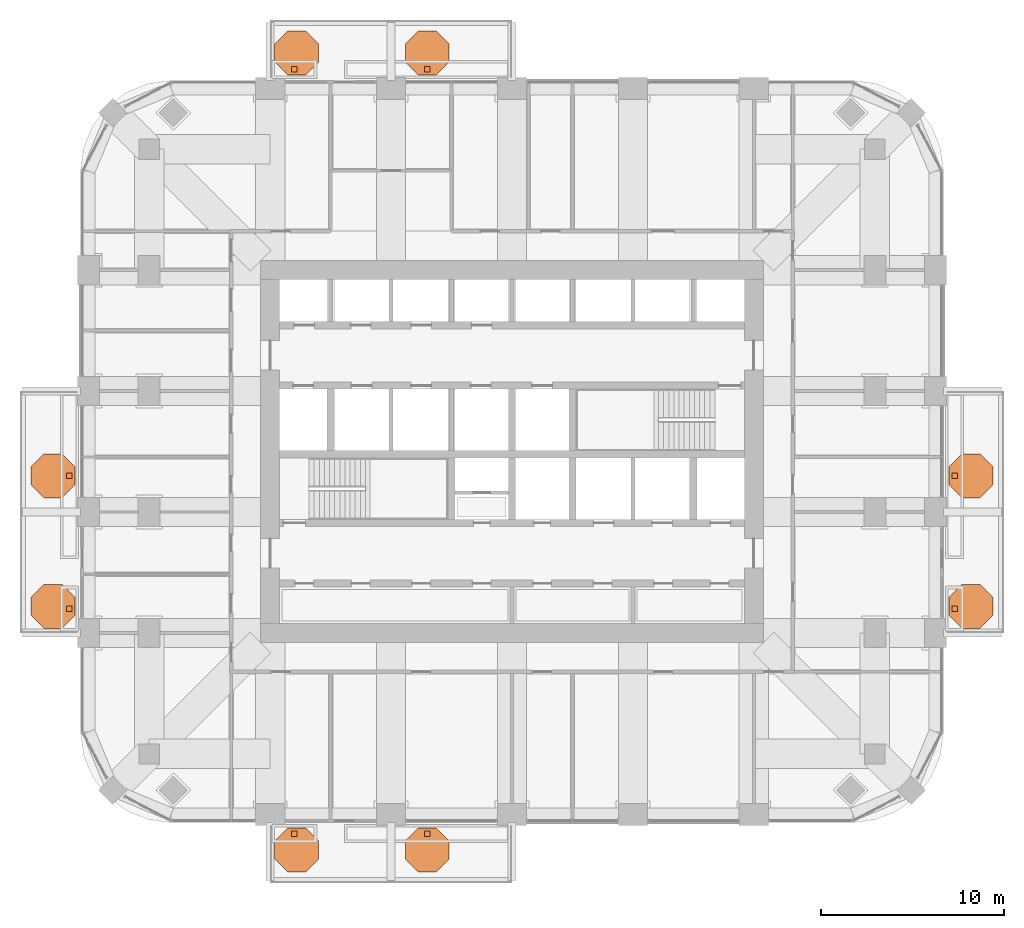
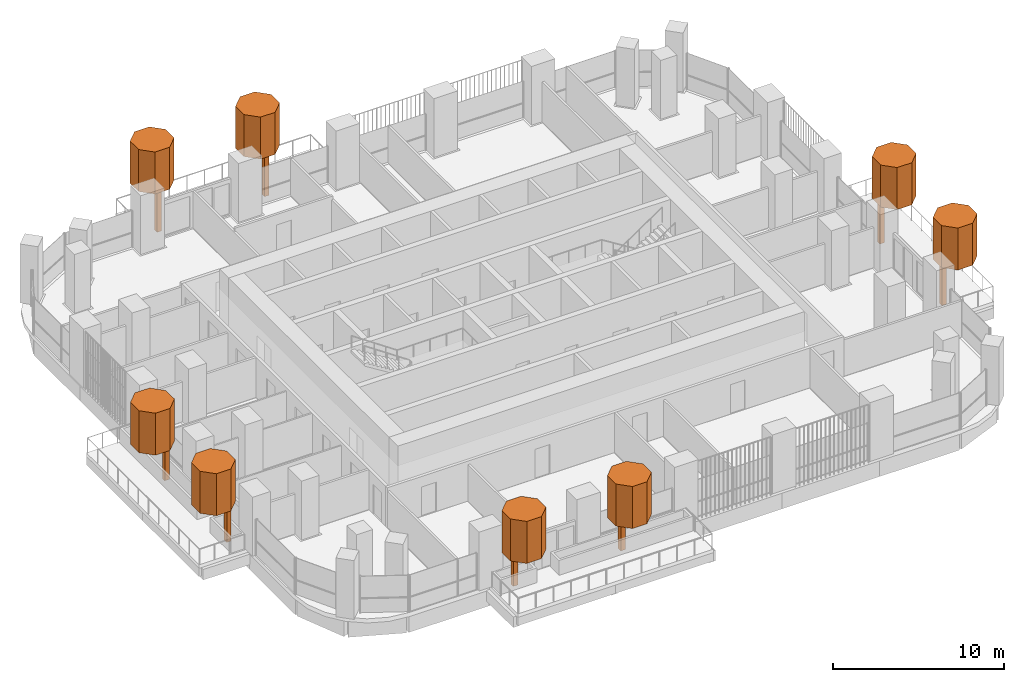
# One storey, part 20 of 20: 16 geographic elements.
"""IFC4 building model written with IfcOpenShell, lengths in metres."""

import ifcopenshell
import ifcopenshell.guid

model = None  # the IFC model being written
_history = None  # IfcOwnerHistory: only IFC2X3 demands one
_inside = {}  # id of a spatial element -> (the spatial element, [elements in it])
_under = {}  # id of a project, library or spatial element -> (it, [spatial elements below it])
_declared = {}  # id of a project -> (the project, [libraries it declares])
_typed = {}  # id of a type object -> (the type object, [elements of that type])
_made_of = {}  # id of a material, layer set ... -> (it, [elements and type objects made of it])


def new_model(schema):
    """Start an empty IFC model of exactly this schema.

    Asked for "IFC4X3", IfcOpenShell would pick the latest addendum, in which some entities
    have other attributes; the version numbers below select the first issue.
    IFC2X3 requires an IfcOwnerHistory on every rooted entity: one is made here for all.
    """
    global model, _history
    if schema == "IFC4X3":
        model = ifcopenshell.file(schema_version=(4, 3, 0, 0))
    else:
        model = ifcopenshell.file(schema=schema)
    _inside.clear()
    _under.clear()
    _declared.clear()
    _typed.clear()
    _made_of.clear()
    _history = None
    if model.schema == "IFC2X3":
        org = make("IfcOrganization", Name="unknown")
        user = make(
            "IfcPersonAndOrganization",
            ThePerson=make("IfcPerson", FamilyName="unknown"),
            TheOrganization=org,
        )
        app = make(
            "IfcApplication",
            ApplicationDeveloper=org,
            Version="unknown",
            ApplicationFullName="unknown",
            ApplicationIdentifier="unknown",
        )
        _history = make(
            "IfcOwnerHistory",
            OwningUser=user,
            OwningApplication=app,
            ChangeAction="ADDED",
            CreationDate=0,
        )
    return model


def make(cls, **values):
    """One entity of the class cls with the attributes given. An attribute that is None is left unset."""
    return model.create_entity(
        cls, **{name: value for name, value in values.items() if value is not None}
    )


def rooted(cls, **values):
    """An entity with a GlobalId (a new one), such as an element, a storey or a relation."""
    return make(cls, GlobalId=ifcopenshell.guid.new(), OwnerHistory=_history, **values)


def si_unit(unit_type, name, prefix=None):
    """IfcSIUnit, for example si_unit("LENGTHUNIT", "METRE", prefix="MILLI")."""
    return make("IfcSIUnit", UnitType=unit_type, Prefix=prefix, Name=name)


def assignment(units):
    """IfcUnitAssignment: the units of a project."""
    return None if units is None else make("IfcUnitAssignment", Units=units)


def point(xyz):
    """IfcCartesianPoint."""
    return None if xyz is None else make("IfcCartesianPoint", Coordinates=xyz)


def direction(xyz):
    """IfcDirection."""
    return None if xyz is None else make("IfcDirection", DirectionRatios=xyz)


def frame(location, z_axis=None, x_axis=None):
    """IfcAxis2Placement3D, a coordinate frame: its origin and axes. An axis left out is left unset."""
    return make(
        "IfcAxis2Placement3D",
        Location=point(location),
        Axis=direction(z_axis),
        RefDirection=direction(x_axis),
    )


def frame_2d(location, x_axis=None):
    """IfcAxis2Placement2D, a coordinate frame in the plane: its origin and x axis."""
    return make(
        "IfcAxis2Placement2D", Location=point(location), RefDirection=direction(x_axis)
    )


def origin():
    """The frame at (0, 0, 0) with its axes left unset."""
    return frame((0.0, 0.0, 0.0))


def origin_2d():
    """The frame at (0, 0) in the plane with its x axis left unset."""
    return frame_2d((0.0, 0.0))


def place(relative_to, where):
    """IfcLocalPlacement: puts the frame where relative to a parent placement (None: the world)."""
    return make(
        "IfcLocalPlacement", PlacementRelTo=relative_to, RelativePlacement=where
    )


def context(
    kind, dimensions, precision=None, world=None, true_north=None, identifier=None
):
    """IfcGeometricRepresentationContext, for example the 3D "Model" context."""
    return make(
        "IfcGeometricRepresentationContext",
        ContextIdentifier=identifier,
        ContextType=kind,
        CoordinateSpaceDimension=dimensions,
        Precision=precision,
        WorldCoordinateSystem=world,
        TrueNorth=true_north,
    )


def subcontext(parent, identifier, kind, view, scale=None):
    """IfcGeometricRepresentationSubContext, for example "Body" below "Model"."""
    return make(
        "IfcGeometricRepresentationSubContext",
        ContextIdentifier=identifier,
        ContextType=kind,
        ParentContext=parent,
        TargetScale=scale,
        TargetView=view,
    )


def project(units=None, contexts=None):
    """IfcProject with its units and contexts."""
    return rooted(
        "IfcProject",
        Name="project",
        RepresentationContexts=contexts,
        UnitsInContext=assignment(units),
    )


def spatial(cls, under=None, at=None, **own):
    """A site, building, storey or space (cls), placed at a placement, below another one or the project."""
    s = rooted(cls, ObjectPlacement=at, **own)
    if under is not None:
        _under.setdefault(under.id(), (under, []))[1].append(s)
    return s


def polyline(points):
    """IfcPolyline through the points."""
    return make("IfcPolyline", Points=[point(p) for p in points])


def profile(cls, at=None, kind="AREA", **sizes):
    """A parametric profile (cls). Its sizes go by their IFC names, for example OverallWidth=200.0."""
    return make(cls, ProfileType=kind, Position=at, **sizes)


def rectangle(**sizes):
    """IfcRectangleProfileDef."""
    return profile("IfcRectangleProfileDef", **sizes)


def outline(outer, holes=None, kind="AREA"):
    """IfcArbitraryClosedProfileDef: a profile drawn as a closed curve; with holes, ...WithVoids."""
    if holes is None:
        return make("IfcArbitraryClosedProfileDef", ProfileType=kind, OuterCurve=outer)
    return make(
        "IfcArbitraryProfileDefWithVoids",
        ProfileType=kind,
        OuterCurve=outer,
        InnerCurves=holes,
    )


def extrude(swept, where, along, depth):
    """IfcExtrudedAreaSolid: the profile swept, set in the frame where, extruded along a direction by depth."""
    return make(
        "IfcExtrudedAreaSolid",
        SweptArea=swept,
        Position=where,
        ExtrudedDirection=direction(along),
        Depth=depth,
    )


def shape(context_of_items, identifier, shape_type, items):
    """IfcShapeRepresentation: the items that make up one representation, for example the "Body"."""
    return make(
        "IfcShapeRepresentation",
        ContextOfItems=context_of_items,
        RepresentationIdentifier=identifier,
        RepresentationType=shape_type,
        Items=items,
    )


def material(Name=None, Category=None):
    """IfcMaterial."""
    return make("IfcMaterial", Name=Name, Category=Category)


def made_of(thing, what):
    """Note that an element or type object is made of a material, layer set ...; save() writes the relation."""
    if what is not None:
        _made_of.setdefault(what.id(), (what, []))[1].append(thing)
    return thing


def type_object(cls, material=None, **own):
    """A type object (cls), such as IfcWallType, which elements share."""
    return made_of(rooted(cls, **own), material)


def element(
    cls,
    number,
    at=None,
    inside=None,
    cuts=None,
    type_object=None,
    material=None,
    context=None,
    identifier="Body",
    shape_type=None,
    held_by="IfcProductDefinitionShape",
    body=None,
    shapes=None,
    **own,
):
    """One element of the class cls, such as IfcWall. Its Tag is "e" and its number.

    at: its placement. inside: the storey or other place that contains it. cuts: it is an
    opening in that element (IfcRelVoidsElement). A single representation is given by context,
    identifier, shape_type and body (its items); several are given by shapes. held_by: the class
    of the entity that holds the representations. save() writes the other relations.
    """
    e = rooted(cls, Tag="e%d" % number, ObjectPlacement=at, **own)
    if body is not None:
        shapes = [shape(context, identifier, shape_type, body)]
    if shapes is not None:
        e.Representation = make(held_by, Representations=shapes)
    if inside is not None:
        _inside.setdefault(inside.id(), (inside, []))[1].append(e)
    if cuts is not None:
        rooted(
            "IfcRelVoidsElement", RelatingBuildingElement=cuts, RelatedOpeningElement=e
        )
    if type_object is not None:
        _typed.setdefault(type_object.id(), (type_object, []))[1].append(e)
    return made_of(e, material)


def aggregate(whole, parts):
    """IfcRelAggregates: a whole, such as a stair, and the parts it consists of."""
    return rooted("IfcRelAggregates", RelatingObject=whole, RelatedObjects=parts)


def save(model, path):
    """Write the relations noted so far, then the file.

    IfcRelAggregates (storeys below a building ...), IfcRelContainedInSpatialStructure (elements
    in a storey), IfcRelDefinesByType, IfcRelAssociatesMaterial and IfcRelDeclares: one each for
    every whole, place, type object, material and project.
    """
    for whole, parts in _under.values():
        aggregate(whole, parts)
    for where, things in _inside.values():
        rooted(
            "IfcRelContainedInSpatialStructure",
            RelatedElements=things,
            RelatingStructure=where,
        )
    for kind, things in _typed.values():
        rooted("IfcRelDefinesByType", RelatedObjects=things, RelatingType=kind)
    for what, things in _made_of.values():
        rooted("IfcRelAssociatesMaterial", RelatedObjects=things, RelatingMaterial=what)
    for by, libraries in _declared.values():
        rooted("IfcRelDeclares", RelatingContext=by, RelatedDefinitions=libraries)
    model.write(path)


model = new_model("IFC4")

# Units and contexts
model_context = context("Model", 3, precision=1e-05, world=origin(), true_north=direction((0.0, 1.0)))
body_context = subcontext(model_context, "Body", "Model", "MODEL_VIEW")
ifc_project = project(units=[si_unit("LENGTHUNIT", "METRE"), si_unit("AREAUNIT", "SQUARE_METRE"), si_unit("VOLUMEUNIT", "CUBIC_METRE"), si_unit("PLANEANGLEUNIT", "RADIAN"), si_unit("MASSUNIT", "GRAM", prefix="KILO")], contexts=[model_context])

# Site, building, storey
site_placement = place(None, origin())
site = spatial("IfcSite", under=ifc_project, at=site_placement, CompositionType="ELEMENT")
building_placement = place(site_placement, origin())
building = spatial("IfcBuilding", under=site, at=building_placement, Name="Cobogo Forest Laboratory Tower", CompositionType="ELEMENT")
storey_placement = place(building_placement, frame((0.0, 0.0, 210.300048828125)))
storey = spatial("IfcBuildingStorey", under=building, at=storey_placement, Name="L48", CompositionType="ELEMENT", Elevation=210.300048828125)

# Geographic elements
ifc_material = material(Name="Planting", Category="plant")
geographic_element_type_1 = type_object("IfcGeographicElementType", Name="Tree trunk 300", PredefinedType="USERDEFINED", material=ifc_material)
for number, where, z_axis, x_axis, name in (
    (1, (14.52490234375, 2.25, 0.0), (0.0, 0.0, 1.0), (1.0, 0.0, 0.0), "Tree trunk BAL-S1-PL1 L48"),
    (2, (21.77490234375, 2.25, 0.0), (0.0, 0.0, 1.0), (1.0, 0.0, 0.0), "Tree trunk BAL-S1-PL2 L48"),
    (3, (50.550048828125, 14.52490234375, 0.0), (0.0, 0.0, 1.0), (1.0, 0.0, 0.0), "Tree trunk BAL-E1-PL1 L48"),
    (4, (50.550048828125, 21.77490234375, 0.0), (0.0, 0.0, 1.0), (1.0, 0.0, 0.0), "Tree trunk BAL-E1-PL2 L48"),
    (5, (14.52490234375, 43.949951171875, 0.0), (0.0, 0.0, 1.0), (1.0, 0.0, 0.0), "Tree trunk BAL-N1-PL1 L48"),
    (6, (21.77490234375, 43.949951171875, 0.0), (0.0, 0.0, 1.0), (1.0, 0.0, 0.0), "Tree trunk BAL-N1-PL2 L48"),
    (7, (2.25, 14.52490234375, 0.0), (0.0, 0.0, 1.0), (1.0, 0.0, 0.0), "Tree trunk BAL-W1-PL1 L48"),
    (8, (2.25, 21.77490234375, 0.0), (0.0, 0.0, 1.0), (1.0, 0.0, 0.0), "Tree trunk BAL-W1-PL2 L48"),
):
    element("IfcGeographicElement", number, at=place(storey_placement, frame(where, z_axis=z_axis, x_axis=x_axis)), inside=storey, type_object=geographic_element_type_1, Name=name, ObjectType="TREE TRUNK", PredefinedType="USERDEFINED", context=body_context, shape_type="SweptSolid", body=[
        extrude(rectangle(XDim=0.300048828125, YDim=0.300048828125, at=origin_2d()), origin(), (0.0, 0.0, 1.0), 2.89990234375),
    ])
geographic_element_type_2 = type_object("IfcGeographicElementType", Name="Tree, holm oak 5 m", PredefinedType="USERDEFINED", material=ifc_material)
geographic_element_1_placement = place(storey_placement, frame((0.0, 0.0, 2.89990234375)))
element("IfcGeographicElement", 9, at=geographic_element_1_placement, inside=storey, type_object=geographic_element_type_2, Name="Holm tree BAL-S1-PL1 L48", ObjectType="TREE", PredefinedType="USERDEFINED", context=body_context, shape_type="SweptSolid", body=[
    extrude(outline(polyline([(15.85009765625, 0.85302734375), (15.85009765625, 1.84716796875), (15.14697265625, 2.550048828125), (14.15283203125, 2.550048828125), (13.449951171875, 1.84716796875), (13.449951171875, 0.85302734375), (14.15283203125, 0.14990234375), (15.14697265625, 0.14990234375), (15.85009765625, 0.85302734375)])), origin(), (0.0, 0.0, 1.0), 3.0),
])
geographic_element_2_placement = place(storey_placement, frame((0.0, 0.0, 2.89990234375)))
element("IfcGeographicElement", 10, at=geographic_element_2_placement, inside=storey, type_object=geographic_element_type_2, Name="Holm tree BAL-S1-PL2 L48", ObjectType="TREE", PredefinedType="USERDEFINED", context=body_context, shape_type="SweptSolid", body=[
    extrude(outline(polyline([(22.97509765625, 0.85302734375), (22.97509765625, 1.84716796875), (22.27197265625, 2.550048828125), (21.27783203125, 2.550048828125), (20.574951171875, 1.84716796875), (20.574951171875, 0.85302734375), (21.27783203125, 0.14990234375), (22.27197265625, 0.14990234375), (22.97509765625, 0.85302734375)])), origin(), (0.0, 0.0, 1.0), 3.0),
])
geographic_element_3_placement = place(storey_placement, frame((0.0, 0.0, 2.89990234375)))
element("IfcGeographicElement", 11, at=geographic_element_3_placement, inside=storey, type_object=geographic_element_type_2, Name="Holm tree BAL-E1-PL1 L48", ObjectType="TREE", PredefinedType="USERDEFINED", context=body_context, shape_type="SweptSolid", body=[
    extrude(outline(polyline([(52.64990234375, 14.15283203125), (52.64990234375, 15.14697265625), (51.947021484375, 15.85009765625), (50.952880859375, 15.85009765625), (50.25, 15.14697265625), (50.25, 14.15283203125), (50.952880859375, 13.449951171875), (51.947021484375, 13.449951171875), (52.64990234375, 14.15283203125)])), origin(), (0.0, 0.0, 1.0), 3.0),
])
geographic_element_4_placement = place(storey_placement, frame((0.0, 0.0, 2.89990234375)))
element("IfcGeographicElement", 12, at=geographic_element_4_placement, inside=storey, type_object=geographic_element_type_2, Name="Holm tree BAL-E1-PL2 L48", ObjectType="TREE", PredefinedType="USERDEFINED", context=body_context, shape_type="SweptSolid", body=[
    extrude(outline(polyline([(52.64990234375, 21.27783203125), (52.64990234375, 22.27197265625), (51.947021484375, 22.97509765625), (50.952880859375, 22.97509765625), (50.25, 22.27197265625), (50.25, 21.27783203125), (50.952880859375, 20.574951171875), (51.947021484375, 20.574951171875), (52.64990234375, 21.27783203125)])), origin(), (0.0, 0.0, 1.0), 3.0),
])
geographic_element_5_placement = place(storey_placement, frame((0.0, 0.0, 2.89990234375)))
element("IfcGeographicElement", 13, at=geographic_element_5_placement, inside=storey, type_object=geographic_element_type_2, Name="Holm tree BAL-N1-PL1 L48", ObjectType="TREE", PredefinedType="USERDEFINED", context=body_context, shape_type="SweptSolid", body=[
    extrude(outline(polyline([(15.85009765625, 44.35302734375), (15.85009765625, 45.34716796875), (15.14697265625, 46.050048828125), (14.15283203125, 46.050048828125), (13.449951171875, 45.34716796875), (13.449951171875, 44.35302734375), (14.15283203125, 43.64990234375), (15.14697265625, 43.64990234375), (15.85009765625, 44.35302734375)])), origin(), (0.0, 0.0, 1.0), 3.0),
])
geographic_element_6_placement = place(storey_placement, frame((0.0, 0.0, 2.89990234375)))
element("IfcGeographicElement", 14, at=geographic_element_6_placement, inside=storey, type_object=geographic_element_type_2, Name="Holm tree BAL-N1-PL2 L48", ObjectType="TREE", PredefinedType="USERDEFINED", context=body_context, shape_type="SweptSolid", body=[
    extrude(outline(polyline([(22.97509765625, 44.35302734375), (22.97509765625, 45.34716796875), (22.27197265625, 46.050048828125), (21.27783203125, 46.050048828125), (20.574951171875, 45.34716796875), (20.574951171875, 44.35302734375), (21.27783203125, 43.64990234375), (22.27197265625, 43.64990234375), (22.97509765625, 44.35302734375)])), origin(), (0.0, 0.0, 1.0), 3.0),
])
geographic_element_7_placement = place(storey_placement, frame((0.0, 0.0, 2.89990234375)))
element("IfcGeographicElement", 15, at=geographic_element_7_placement, inside=storey, type_object=geographic_element_type_2, Name="Holm tree BAL-W1-PL1 L48", ObjectType="TREE", PredefinedType="USERDEFINED", context=body_context, shape_type="SweptSolid", body=[
    extrude(outline(polyline([(2.550048828125, 14.15283203125), (2.550048828125, 15.14697265625), (1.84716796875, 15.85009765625), (0.85302734375, 15.85009765625), (0.14990234375, 15.14697265625), (0.14990234375, 14.15283203125), (0.85302734375, 13.449951171875), (1.84716796875, 13.449951171875), (2.550048828125, 14.15283203125)])), origin(), (0.0, 0.0, 1.0), 3.0),
])
geographic_element_8_placement = place(storey_placement, frame((0.0, 0.0, 2.89990234375)))
element("IfcGeographicElement", 16, at=geographic_element_8_placement, inside=storey, type_object=geographic_element_type_2, Name="Holm tree BAL-W1-PL2 L48", ObjectType="TREE", PredefinedType="USERDEFINED", context=body_context, shape_type="SweptSolid", body=[
    extrude(outline(polyline([(2.550048828125, 21.27783203125), (2.550048828125, 22.27197265625), (1.84716796875, 22.97509765625), (0.85302734375, 22.97509765625), (0.14990234375, 22.27197265625), (0.14990234375, 21.27783203125), (0.85302734375, 20.574951171875), (1.84716796875, 20.574951171875), (2.550048828125, 21.27783203125)])), origin(), (0.0, 0.0, 1.0), 3.0),
])

save(model, "model.ifc")
